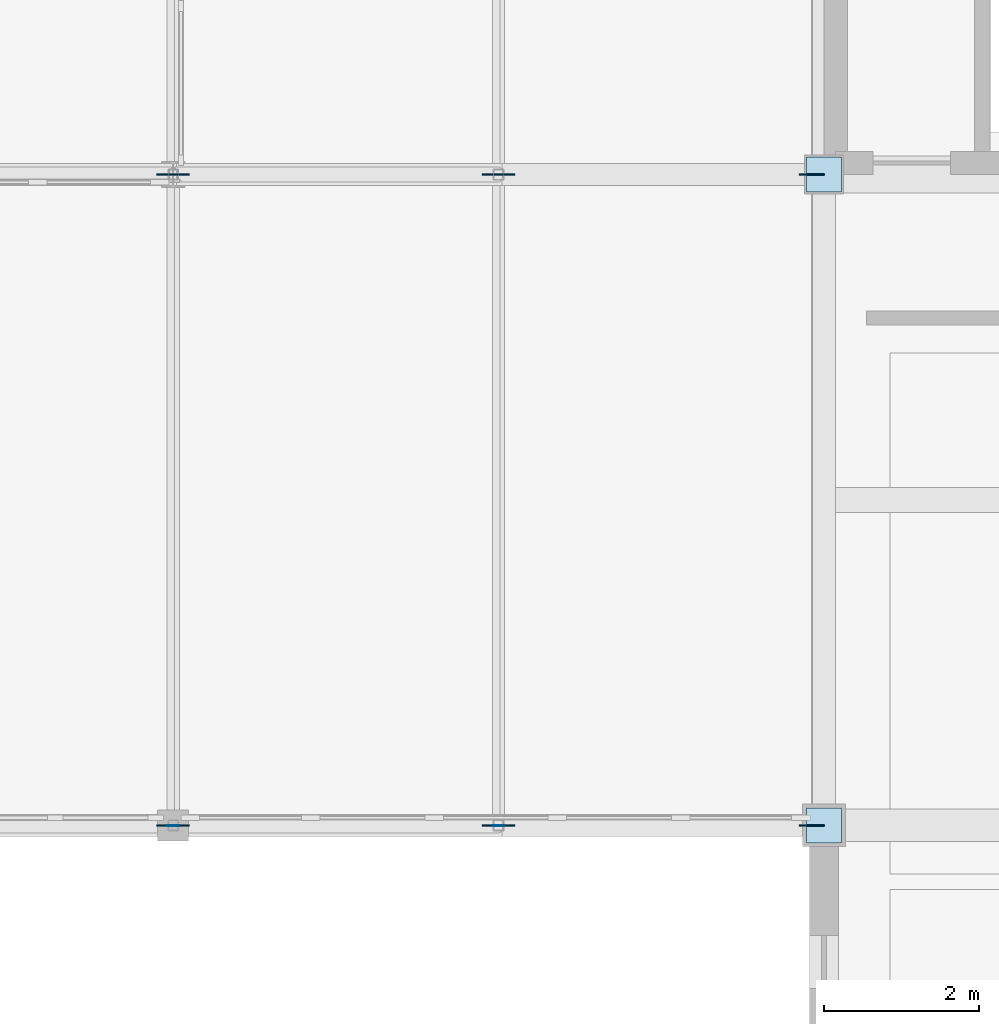
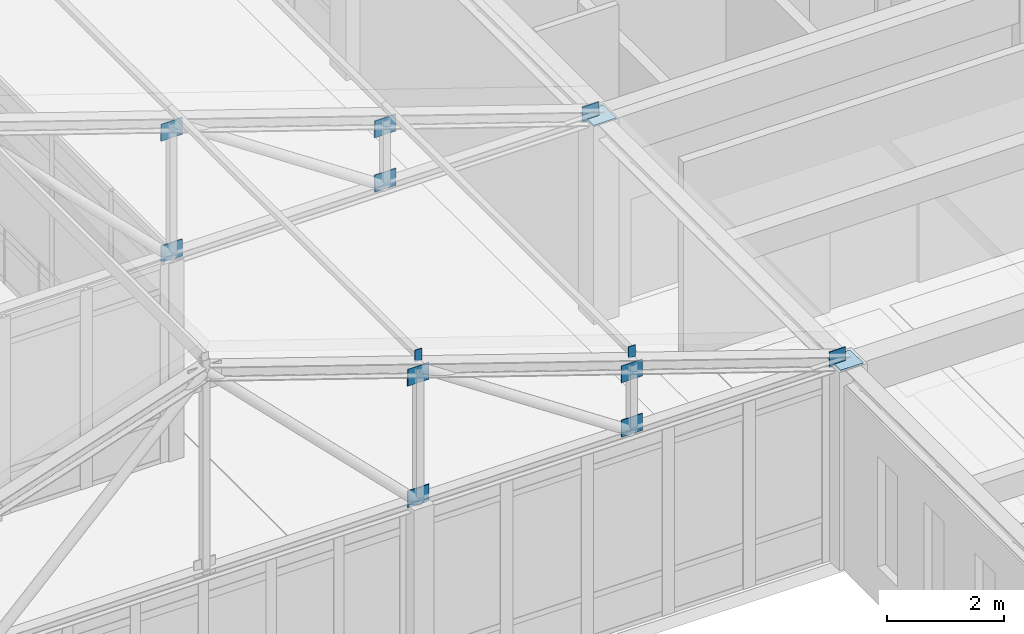
# One storey, part 144 of 192: 14 plates.
"""IFC4 building model written with IfcOpenShell, lengths in metres."""

from ifc_helpers import new_model, si_unit, direction, frame, origin, origin_2d, place, context, subcontext, project, spatial, rectangle, extrude, material, layer, layer_set, type_object, element, save


model = new_model("IFC4")

# Units and contexts
model_context = context("Model", 3, precision=1e-05, world=origin(), true_north=direction((0.0, 1.0)))
body_context = subcontext(model_context, "Body", "Model", "MODEL_VIEW")
ifc_project = project(units=[si_unit("LENGTHUNIT", "METRE"), si_unit("AREAUNIT", "SQUARE_METRE"), si_unit("VOLUMEUNIT", "CUBIC_METRE"), si_unit("PLANEANGLEUNIT", "RADIAN"), si_unit("MASSUNIT", "GRAM", prefix="KILO")], contexts=[model_context])

# Site, building, storey
site_placement = place(None, origin())
site = spatial("IfcSite", under=ifc_project, at=site_placement, CompositionType="ELEMENT")
building_placement = place(site_placement, origin())
building = spatial("IfcBuilding", under=site, at=building_placement, Name="Kveldsbrygga Polytechnic", CompositionType="ELEMENT")
storey_placement = place(building_placement, frame((0.0, 0.0, 5.43994140625)))
storey = spatial("IfcBuildingStorey", under=building, at=storey_placement, Name="L01", CompositionType="ELEMENT", Elevation=5.43994140625)

# Plates
ifc_material = material(Name="Steel S355", Category="steel")
ifc_layer_1 = layer(ifc_material, 0.030029296875)
ifc_layer_set_1 = layer_set([ifc_layer_1], Name="Steel S355")
plate_type_1 = type_object("IfcPlateType", Name="CAP-BEAR-450", PredefinedType="SHEET", material=ifc_layer_set_1)
for number, where, z_axis, x_axis, name in (
    (1, (75.60009765625, 8.39990234375, 4.08984375), (0.0, 0.0, 1.0), (1.0, 0.0, 0.0), "Truss Bearing Plate V5C-T01-B"),
    (2, (75.60009765625, 16.800048828125, 4.08984375), (0.0, 0.0, 1.0), (1.0, 0.0, 0.0), "Truss Bearing Plate V5C-T02-B"),
):
    element("IfcPlate", number, at=place(storey_placement, frame(where, z_axis=z_axis, x_axis=x_axis)), inside=storey, type_object=plate_type_1, Name=name, PredefinedType="SHEET", context=body_context, shape_type="SweptSolid", body=[
        extrude(rectangle(XDim=0.449951171875, YDim=0.449951171875, at=origin_2d()), origin(), (0.0, 0.0, 1.0), 0.030029296875),
    ])
ifc_layer_2 = layer(ifc_material, 0.011962890625)
ifc_layer_set_2 = layer_set([ifc_layer_2], Name="Steel S355")
plate_type_2 = type_object("IfcPlateType", Name="CAP-PRL-200", PredefinedType="SHEET", material=ifc_layer_set_2)
for number, where, z_axis, x_axis, name in (
    (3, (67.199951171875, 8.39404296875, 7.05322265625), (0.0, 0.0, 1.0), (1.0, 0.0, 0.0), "Purlin End Cap Plate V5C-EP-A-4"),
    (4, (71.39990234375, 8.39404296875, 5.65283203125), (0.0, 0.0, 1.0), (1.0, 0.0, 0.0), "Purlin End Cap Plate V5C-EP-A-5"),
):
    element("IfcPlate", number, at=place(storey_placement, frame(where, z_axis=z_axis, x_axis=x_axis)), inside=storey, type_object=plate_type_2, Name=name, PredefinedType="SHEET", context=body_context, shape_type="SweptSolid", body=[
        extrude(rectangle(XDim=0.139892578125, YDim=0.011962890625, at=origin_2d()), origin(), (0.0, 0.0, 1.0), 0.239990234375),
    ])
ifc_layer_3 = layer(ifc_material, 0.01806640625)
ifc_layer_set_3 = layer_set([ifc_layer_3], Name="Steel S355")
plate_type_3 = type_object("IfcPlateType", Name="GUS-BRACE-320", PredefinedType="SHEET", material=ifc_layer_set_3)
for number, where, z_axis, x_axis, name in (
    (5, (75.43994140625, 8.39990234375, 4.080078125), (0.0, 0.0, 1.0), (1.0, 0.0, 0.0), "Truss Eaves Node Gusset V5C-T01-EGP-B"),
    (6, (75.43994140625, 16.800048828125, 4.080078125), (0.0, 0.0, 1.0), (1.0, 0.0, 0.0), "Truss Eaves Node Gusset V5C-T02-EGP-B"),
):
    element("IfcPlate", number, at=place(storey_placement, frame(where, z_axis=z_axis, x_axis=x_axis)), inside=storey, type_object=plate_type_3, Name=name, PredefinedType="SHEET", context=body_context, shape_type="SweptSolid", body=[
        extrude(rectangle(XDim=0.320068359375, YDim=0.01806640625, at=origin_2d()), origin(), (0.0, 0.0, 1.0), 0.320068359375),
    ])
ifc_layer_4 = layer(ifc_material, 0.02001953125)
ifc_layer_set_4 = layer_set([ifc_layer_4], Name="Steel S355")
plate_type_4 = type_object("IfcPlateType", Name="GUS-LECT-420", PredefinedType="SHEET", material=ifc_layer_set_4)
for number, where, z_axis, x_axis, name in (
    (7, (67.199951171875, 8.39990234375, 6.594970703125), (0.0, 0.0, 1.0), (1.0, 0.0, 0.0), "Truss Gusset Plate V5C-T01-GP-4"),
    (8, (67.199951171875, 8.39990234375, 4.06494140625), (0.0, 0.0, 1.0), (1.0, 0.0, 0.0), "Truss Bottom-Chord Node Gusset V5C-T01-BGP-4"),
    (9, (71.39990234375, 8.39990234375, 5.195068359375), (0.0, 0.0, 1.0), (1.0, 0.0, 0.0), "Truss Gusset Plate V5C-T01-GP-5"),
    (10, (71.39990234375, 8.39990234375, 4.06494140625), (0.0, 0.0, 1.0), (1.0, 0.0, 0.0), "Truss Bottom-Chord Node Gusset V5C-T01-BGP-5"),
    (11, (67.199951171875, 16.800048828125, 6.594970703125), (0.0, 0.0, 1.0), (1.0, 0.0, 0.0), "Truss Gusset Plate V5C-T02-GP-4"),
    (12, (67.199951171875, 16.800048828125, 4.06494140625), (0.0, 0.0, 1.0), (1.0, 0.0, 0.0), "Truss Bottom-Chord Node Gusset V5C-T02-BGP-4"),
    (13, (71.39990234375, 16.800048828125, 5.195068359375), (0.0, 0.0, 1.0), (1.0, 0.0, 0.0), "Truss Gusset Plate V5C-T02-GP-5"),
    (14, (71.39990234375, 16.800048828125, 4.06494140625), (0.0, 0.0, 1.0), (1.0, 0.0, 0.0), "Truss Bottom-Chord Node Gusset V5C-T02-BGP-5"),
):
    element("IfcPlate", number, at=place(storey_placement, frame(where, z_axis=z_axis, x_axis=x_axis)), inside=storey, type_object=plate_type_4, Name=name, PredefinedType="SHEET", context=body_context, shape_type="SweptSolid", body=[
        extrude(rectangle(XDim=0.419921875, YDim=0.02001953125, at=origin_2d()), origin(), (0.0, 0.0, 1.0), 0.35009765625),
    ])

save(model, "model.ifc")
